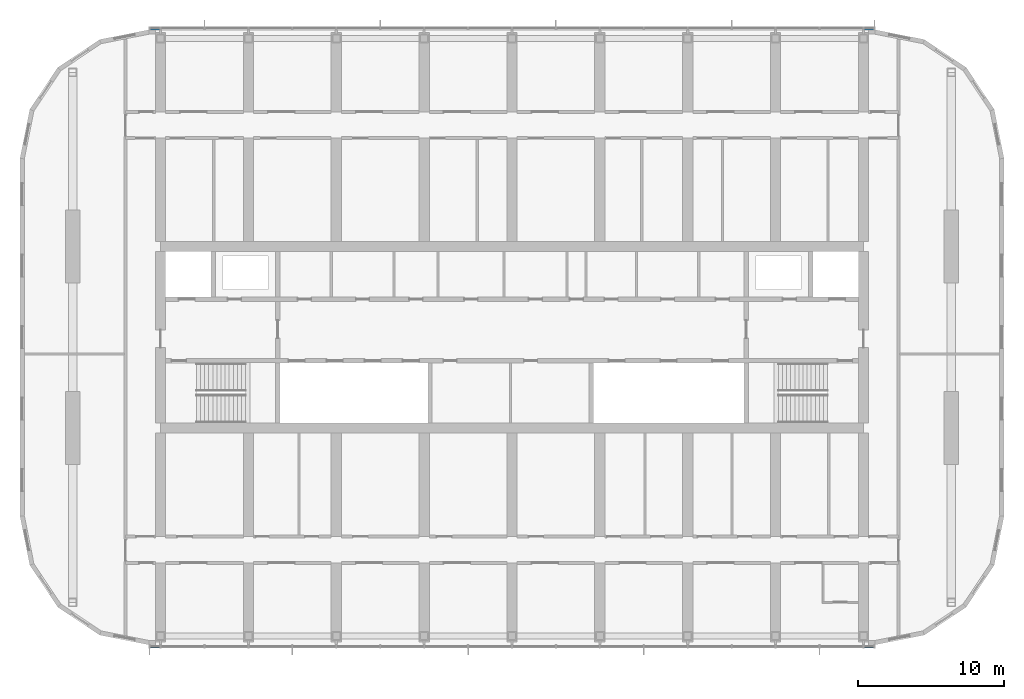
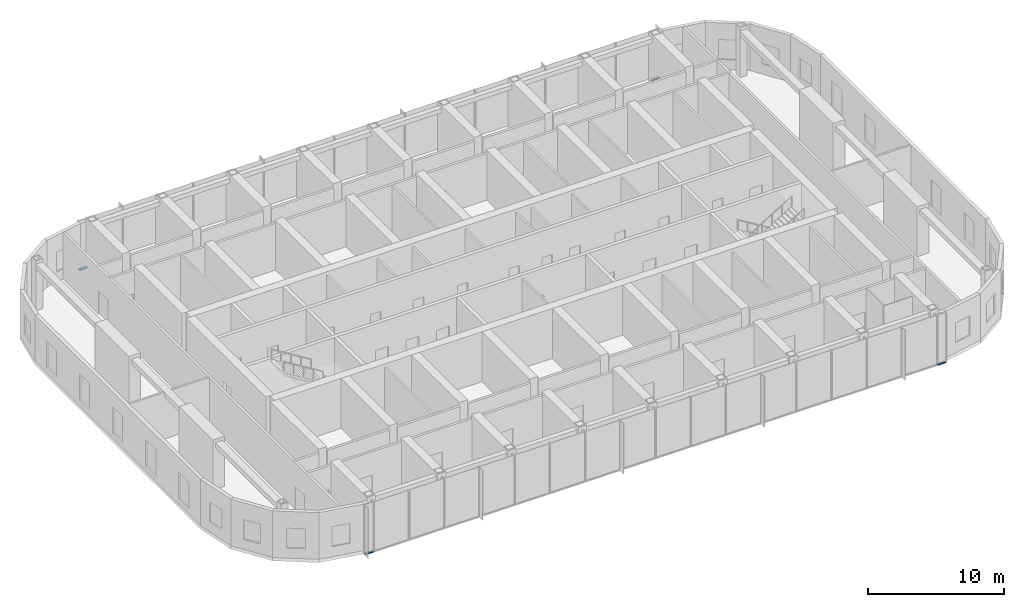
# One storey, part 6 of 21: 4 members, 2 elements without a shape of their own.
"""IFC4 building model written with IfcOpenShell, lengths in metres."""

from ifc_helpers import new_model, si_unit, direction, frame, origin, origin_2d, place, context, subcontext, project, spatial, rectangle, extrude, material, material_profile, profile_set, type_object, element, aggregate, save


model = new_model("IFC4")

# Units and contexts
model_context = context("Model", 3, precision=1e-05, world=origin(), true_north=direction((0.0, 1.0)))
body_context = subcontext(model_context, "Body", "Model", "MODEL_VIEW")
ifc_project = project(units=[si_unit("LENGTHUNIT", "METRE"), si_unit("AREAUNIT", "SQUARE_METRE"), si_unit("VOLUMEUNIT", "CUBIC_METRE"), si_unit("PLANEANGLEUNIT", "RADIAN"), si_unit("MASSUNIT", "GRAM", prefix="KILO")], contexts=[model_context])

# Site, building, storey
site_placement = place(None, origin())
site = spatial("IfcSite", under=ifc_project, at=site_placement, CompositionType="ELEMENT")
building_placement = place(site_placement, origin())
building = spatial("IfcBuilding", under=site, at=building_placement, Name="Orbita Commons", CompositionType="ELEMENT")
storey_placement = place(building_placement, frame((0.0, 0.0, 257.800048828125)))
storey = spatial("IfcBuildingStorey", under=building, at=storey_placement, Name="L64", CompositionType="ELEMENT", Elevation=257.800048828125)

# Curtain wall, members
ifc_material_1 = material(Name="Anodised aluminium frame, pale silver", Category="aluminium")
curtain_wall_type = type_object("IfcCurtainWallType", Name="Unitised curtain wall CW-S, full-height", PredefinedType="NOTDEFINED", material=ifc_material_1)
curtain_wall_1_placement = place(storey_placement, origin())
curtain_wall_1 = element("IfcCurtainWall", 1, at=curtain_wall_1_placement, inside=storey, type_object=curtain_wall_type, Name="Curtain wall south L64", PredefinedType="NOTDEFINED")
ifc_material_2 = material(Name="Anodised aluminium, pale silver", Category="aluminium")
ifc_material_profile = material_profile(ifc_material_2, rectangle(XDim=0.219970703125, YDim=0.10009765625, at=origin_2d()), Name="AL 220x100")
ifc_profile_set = profile_set([ifc_material_profile], Name="Anodised aluminium, pale silver")
member_type = type_object("IfcMemberType", Name="Curtain wall stack transom 220x100", PredefinedType="USERDEFINED", material=ifc_profile_set)
member_1_placement = place(storey_placement, frame((17.280029296875, 10.889892578125, -0.25), z_axis=(1.0, 0.0, 0.0), x_axis=(0.0, 1.0, 0.0)))
member_1 = element("IfcMember", 2, at=member_1_placement, type_object=member_type, Name="Transom 1.1 CW-L64-S", ObjectType="TRANSOM", PredefinedType="USERDEFINED", context=body_context, shape_type="SweptSolid", body=[
    extrude(rectangle(XDim=0.219970703125, YDim=0.10009765625, at=origin_2d()), origin(), (0.0, 0.0, 1.0), 0.679931640625),
])
member_2_placement = place(storey_placement, frame((66.0400390625, 10.889892578125, -0.25), z_axis=(1.0, 0.0, 0.0), x_axis=(0.0, 1.0, 0.0)))
member_2 = element("IfcMember", 3, at=member_2_placement, type_object=member_type, Name="Transom 18.1 CW-L64-S", ObjectType="TRANSOM", PredefinedType="USERDEFINED", context=body_context, shape_type="SweptSolid", body=[
    extrude(rectangle(XDim=0.219970703125, YDim=0.10009765625, at=origin_2d()), origin(), (0.0, 0.0, 1.0), 0.679931640625),
])
aggregate(curtain_wall_1, [member_1, member_2])

curtain_wall_2_placement = place(storey_placement, origin())
curtain_wall_2 = element("IfcCurtainWall", 4, at=curtain_wall_2_placement, inside=storey, type_object=curtain_wall_type, Name="Curtain wall north L64", PredefinedType="NOTDEFINED")
member_3_placement = place(storey_placement, frame((66.719970703125, 53.110107421875, -0.25), z_axis=(-1.0, 0.0, 0.0), x_axis=(0.0, -1.0, 0.0)))
member_3 = element("IfcMember", 5, at=member_3_placement, type_object=member_type, Name="Transom 1.1 CW-L64-N", ObjectType="TRANSOM", PredefinedType="USERDEFINED", context=body_context, shape_type="SweptSolid", body=[
    extrude(rectangle(XDim=0.219970703125, YDim=0.10009765625, at=origin_2d()), origin(), (0.0, 0.0, 1.0), 0.679931640625),
])
member_4_placement = place(storey_placement, frame((17.9599609375, 53.110107421875, -0.25), z_axis=(-1.0, 0.0, 0.0), x_axis=(0.0, -1.0, 0.0)))
member_4 = element("IfcMember", 6, at=member_4_placement, type_object=member_type, Name="Transom 18.1 CW-L64-N", ObjectType="TRANSOM", PredefinedType="USERDEFINED", context=body_context, shape_type="SweptSolid", body=[
    extrude(rectangle(XDim=0.219970703125, YDim=0.10009765625, at=origin_2d()), origin(), (0.0, 0.0, 1.0), 0.679931640625),
])
aggregate(curtain_wall_2, [member_3, member_4])

save(model, "model.ifc")
